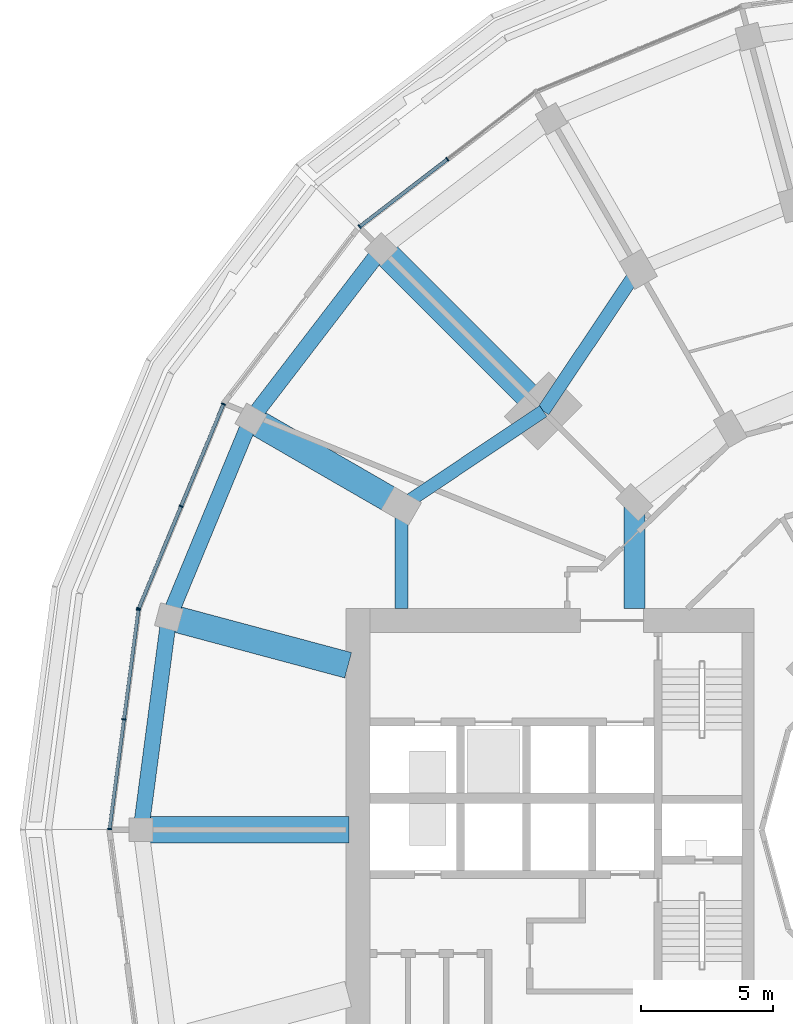
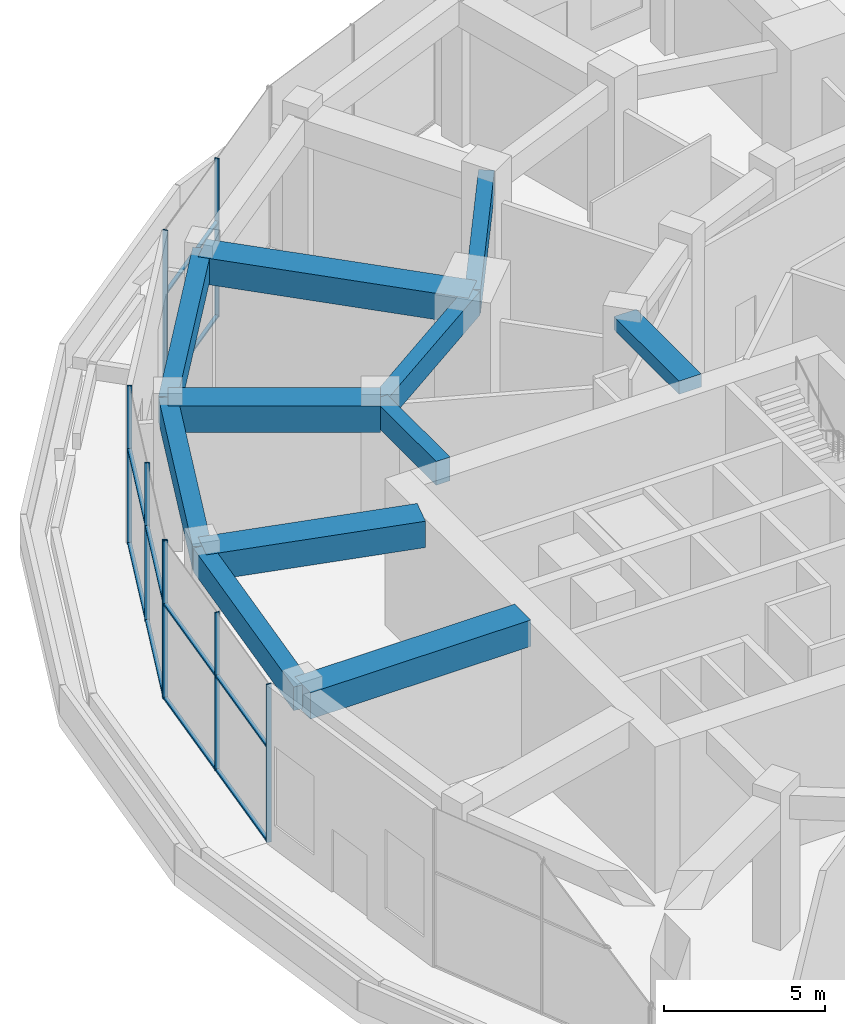
# One storey, part 7 of 23: 18 members, 11 beams, 3 elements without a shape of their own.
"""IFC4 building model written with IfcOpenShell, lengths in metres."""

import ifcopenshell
import ifcopenshell.guid

model = None  # the IFC model being written
_history = None  # IfcOwnerHistory: only IFC2X3 demands one
_inside = {}  # id of a spatial element -> (the spatial element, [elements in it])
_under = {}  # id of a project, library or spatial element -> (it, [spatial elements below it])
_declared = {}  # id of a project -> (the project, [libraries it declares])
_typed = {}  # id of a type object -> (the type object, [elements of that type])
_made_of = {}  # id of a material, layer set ... -> (it, [elements and type objects made of it])


def new_model(schema):
    """Start an empty IFC model of exactly this schema.

    Asked for "IFC4X3", IfcOpenShell would pick the latest addendum, in which some entities
    have other attributes; the version numbers below select the first issue.
    IFC2X3 requires an IfcOwnerHistory on every rooted entity: one is made here for all.
    """
    global model, _history
    if schema == "IFC4X3":
        model = ifcopenshell.file(schema_version=(4, 3, 0, 0))
    else:
        model = ifcopenshell.file(schema=schema)
    _inside.clear()
    _under.clear()
    _declared.clear()
    _typed.clear()
    _made_of.clear()
    _history = None
    if model.schema == "IFC2X3":
        org = make("IfcOrganization", Name="unknown")
        user = make(
            "IfcPersonAndOrganization",
            ThePerson=make("IfcPerson", FamilyName="unknown"),
            TheOrganization=org,
        )
        app = make(
            "IfcApplication",
            ApplicationDeveloper=org,
            Version="unknown",
            ApplicationFullName="unknown",
            ApplicationIdentifier="unknown",
        )
        _history = make(
            "IfcOwnerHistory",
            OwningUser=user,
            OwningApplication=app,
            ChangeAction="ADDED",
            CreationDate=0,
        )
    return model


def make(cls, **values):
    """One entity of the class cls with the attributes given. An attribute that is None is left unset."""
    return model.create_entity(
        cls, **{name: value for name, value in values.items() if value is not None}
    )


def rooted(cls, **values):
    """An entity with a GlobalId (a new one), such as an element, a storey or a relation."""
    return make(cls, GlobalId=ifcopenshell.guid.new(), OwnerHistory=_history, **values)


def si_unit(unit_type, name, prefix=None):
    """IfcSIUnit, for example si_unit("LENGTHUNIT", "METRE", prefix="MILLI")."""
    return make("IfcSIUnit", UnitType=unit_type, Prefix=prefix, Name=name)


def assignment(units):
    """IfcUnitAssignment: the units of a project."""
    return None if units is None else make("IfcUnitAssignment", Units=units)


def point(xyz):
    """IfcCartesianPoint."""
    return None if xyz is None else make("IfcCartesianPoint", Coordinates=xyz)


def direction(xyz):
    """IfcDirection."""
    return None if xyz is None else make("IfcDirection", DirectionRatios=xyz)


def frame(location, z_axis=None, x_axis=None):
    """IfcAxis2Placement3D, a coordinate frame: its origin and axes. An axis left out is left unset."""
    return make(
        "IfcAxis2Placement3D",
        Location=point(location),
        Axis=direction(z_axis),
        RefDirection=direction(x_axis),
    )


def frame_2d(location, x_axis=None):
    """IfcAxis2Placement2D, a coordinate frame in the plane: its origin and x axis."""
    return make(
        "IfcAxis2Placement2D", Location=point(location), RefDirection=direction(x_axis)
    )


def origin():
    """The frame at (0, 0, 0) with its axes left unset."""
    return frame((0.0, 0.0, 0.0))


def origin_2d():
    """The frame at (0, 0) in the plane with its x axis left unset."""
    return frame_2d((0.0, 0.0))


def place(relative_to, where):
    """IfcLocalPlacement: puts the frame where relative to a parent placement (None: the world)."""
    return make(
        "IfcLocalPlacement", PlacementRelTo=relative_to, RelativePlacement=where
    )


def context(
    kind, dimensions, precision=None, world=None, true_north=None, identifier=None
):
    """IfcGeometricRepresentationContext, for example the 3D "Model" context."""
    return make(
        "IfcGeometricRepresentationContext",
        ContextIdentifier=identifier,
        ContextType=kind,
        CoordinateSpaceDimension=dimensions,
        Precision=precision,
        WorldCoordinateSystem=world,
        TrueNorth=true_north,
    )


def subcontext(parent, identifier, kind, view, scale=None):
    """IfcGeometricRepresentationSubContext, for example "Body" below "Model"."""
    return make(
        "IfcGeometricRepresentationSubContext",
        ContextIdentifier=identifier,
        ContextType=kind,
        ParentContext=parent,
        TargetScale=scale,
        TargetView=view,
    )


def project(units=None, contexts=None):
    """IfcProject with its units and contexts."""
    return rooted(
        "IfcProject",
        Name="project",
        RepresentationContexts=contexts,
        UnitsInContext=assignment(units),
    )


def spatial(cls, under=None, at=None, **own):
    """A site, building, storey or space (cls), placed at a placement, below another one or the project."""
    s = rooted(cls, ObjectPlacement=at, **own)
    if under is not None:
        _under.setdefault(under.id(), (under, []))[1].append(s)
    return s


def profile(cls, at=None, kind="AREA", **sizes):
    """A parametric profile (cls). Its sizes go by their IFC names, for example OverallWidth=200.0."""
    return make(cls, ProfileType=kind, Position=at, **sizes)


def rectangle(**sizes):
    """IfcRectangleProfileDef."""
    return profile("IfcRectangleProfileDef", **sizes)


def extrude(swept, where, along, depth):
    """IfcExtrudedAreaSolid: the profile swept, set in the frame where, extruded along a direction by depth."""
    return make(
        "IfcExtrudedAreaSolid",
        SweptArea=swept,
        Position=where,
        ExtrudedDirection=direction(along),
        Depth=depth,
    )


def shape(context_of_items, identifier, shape_type, items):
    """IfcShapeRepresentation: the items that make up one representation, for example the "Body"."""
    return make(
        "IfcShapeRepresentation",
        ContextOfItems=context_of_items,
        RepresentationIdentifier=identifier,
        RepresentationType=shape_type,
        Items=items,
    )


def material(Name=None, Category=None):
    """IfcMaterial."""
    return make("IfcMaterial", Name=Name, Category=Category)


def layer(
    of_material, thickness, ventilated=None, Name=None, Category=None, Priority=None
):
    """IfcMaterialLayer: one layer of a wall or slab, of a material (None: an air gap)."""
    return make(
        "IfcMaterialLayer",
        Material=of_material,
        LayerThickness=thickness,
        IsVentilated=ventilated,
        Name=Name,
        Category=Category,
        Priority=Priority,
    )


def layer_set(layers, Name=None):
    """IfcMaterialLayerSet."""
    return make("IfcMaterialLayerSet", MaterialLayers=layers, LayerSetName=Name)


def material_profile(
    of_material, cross_section, Name=None, Category=None, Priority=None
):
    """IfcMaterialProfile: a cross section and its material."""
    return make(
        "IfcMaterialProfile",
        Name=Name,
        Material=of_material,
        Profile=cross_section,
        Priority=Priority,
        Category=Category,
    )


def profile_set(profiles, Name=None, composite=None):
    """IfcMaterialProfileSet."""
    return make(
        "IfcMaterialProfileSet",
        Name=Name,
        MaterialProfiles=profiles,
        CompositeProfile=composite,
    )


def made_of(thing, what):
    """Note that an element or type object is made of a material, layer set ...; save() writes the relation."""
    if what is not None:
        _made_of.setdefault(what.id(), (what, []))[1].append(thing)
    return thing


def type_object(cls, material=None, **own):
    """A type object (cls), such as IfcWallType, which elements share."""
    return made_of(rooted(cls, **own), material)


def element(
    cls,
    number,
    at=None,
    inside=None,
    cuts=None,
    type_object=None,
    material=None,
    context=None,
    identifier="Body",
    shape_type=None,
    held_by="IfcProductDefinitionShape",
    body=None,
    shapes=None,
    **own,
):
    """One element of the class cls, such as IfcWall. Its Tag is "e" and its number.

    at: its placement. inside: the storey or other place that contains it. cuts: it is an
    opening in that element (IfcRelVoidsElement). A single representation is given by context,
    identifier, shape_type and body (its items); several are given by shapes. held_by: the class
    of the entity that holds the representations. save() writes the other relations.
    """
    e = rooted(cls, Tag="e%d" % number, ObjectPlacement=at, **own)
    if body is not None:
        shapes = [shape(context, identifier, shape_type, body)]
    if shapes is not None:
        e.Representation = make(held_by, Representations=shapes)
    if inside is not None:
        _inside.setdefault(inside.id(), (inside, []))[1].append(e)
    if cuts is not None:
        rooted(
            "IfcRelVoidsElement", RelatingBuildingElement=cuts, RelatedOpeningElement=e
        )
    if type_object is not None:
        _typed.setdefault(type_object.id(), (type_object, []))[1].append(e)
    return made_of(e, material)


def aggregate(whole, parts):
    """IfcRelAggregates: a whole, such as a stair, and the parts it consists of."""
    return rooted("IfcRelAggregates", RelatingObject=whole, RelatedObjects=parts)


def save(model, path):
    """Write the relations noted so far, then the file.

    IfcRelAggregates (storeys below a building ...), IfcRelContainedInSpatialStructure (elements
    in a storey), IfcRelDefinesByType, IfcRelAssociatesMaterial and IfcRelDeclares: one each for
    every whole, place, type object, material and project.
    """
    for whole, parts in _under.values():
        aggregate(whole, parts)
    for where, things in _inside.values():
        rooted(
            "IfcRelContainedInSpatialStructure",
            RelatedElements=things,
            RelatingStructure=where,
        )
    for kind, things in _typed.values():
        rooted("IfcRelDefinesByType", RelatedObjects=things, RelatingType=kind)
    for what, things in _made_of.values():
        rooted("IfcRelAssociatesMaterial", RelatedObjects=things, RelatingMaterial=what)
    for by, libraries in _declared.values():
        rooted("IfcRelDeclares", RelatingContext=by, RelatedDefinitions=libraries)
    model.write(path)


model = new_model("IFC4")

# Units and contexts
model_context = context("Model", 3, precision=1e-05, world=origin(), true_north=direction((0.0, 1.0)))
body_context = subcontext(model_context, "Body", "Model", "MODEL_VIEW")
ifc_project = project(units=[si_unit("LENGTHUNIT", "METRE"), si_unit("AREAUNIT", "SQUARE_METRE"), si_unit("VOLUMEUNIT", "CUBIC_METRE"), si_unit("PLANEANGLEUNIT", "RADIAN"), si_unit("MASSUNIT", "GRAM", prefix="KILO")], contexts=[model_context])

# Site, building, storey
site_placement = place(None, origin())
site = spatial("IfcSite", under=ifc_project, at=site_placement, CompositionType="ELEMENT")
building_placement = place(site_placement, origin())
building = spatial("IfcBuilding", under=site, at=building_placement, Name="Torre Brocal", CompositionType="ELEMENT")
storey_placement = place(building_placement, frame((0.0, 0.0, 17.800048828125)))
storey = spatial("IfcBuildingStorey", under=building, at=storey_placement, Name="L03", CompositionType="ELEMENT", Elevation=17.800048828125)

# Curtain wall, members
ifc_material_1 = material(Name="Aluminium and glass", Category="aluminium")
ifc_layer = layer(ifc_material_1, 0.199951171875)
ifc_layer_set = layer_set([ifc_layer], Name="Aluminium and glass")
curtain_wall_type = type_object("IfcCurtainWallType", Name="CW-6 CURTAIN WALL 6000 HIGH", PredefinedType="NOTDEFINED", material=ifc_layer_set)
curtain_wall_1_placement = place(storey_placement, origin())
curtain_wall_1 = element("IfcCurtainWall", 1, at=curtain_wall_1_placement, inside=storey, type_object=curtain_wall_type, Name="CW-6 RUN 9", PredefinedType="NOTDEFINED")
ifc_material_2 = material(Name="Aluminium, dark anodised", Category="aluminium")
ifc_material_profile_1 = material_profile(ifc_material_2, rectangle(XDim=0.159912109375, YDim=0.050048828125, at=origin_2d()), Name="CW-6 MULLION 50X160")
ifc_profile_set_1 = profile_set([ifc_material_profile_1], Name="Aluminium, dark anodised")
member_type_1 = type_object("IfcMemberType", Name="CW-6 MULLION 50X160", PredefinedType="MULLION", material=ifc_profile_set_1)
member_1_placement = place(storey_placement, frame((60.4453125, 100.484130859375, 0.0), z_axis=(0.0, 0.0, 1.0), x_axis=(0.608761429009, -0.793353340291, 0.0)))
member_1 = element("IfcMember", 2, at=member_1_placement, type_object=member_type_1, Name="CW6-2 mullion 2", PredefinedType="MULLION", context=body_context, shape_type="SweptSolid", body=[
    extrude(rectangle(XDim=0.159912109375, YDim=0.050048828125, at=origin_2d()), origin(), (0.0, 0.0, 1.0), 6.0),
])
member_2_placement = place(storey_placement, frame((57.110107421875, 97.9248046875, 0.0), z_axis=(0.0, 0.0, 1.0), x_axis=(0.608761429009, -0.793353340291, 0.0)))
member_2 = element("IfcMember", 3, at=member_2_placement, type_object=member_type_1, Name="CW6-2 mullion 3", PredefinedType="MULLION", context=body_context, shape_type="SweptSolid", body=[
    extrude(rectangle(XDim=0.159912109375, YDim=0.050048828125, at=origin_2d()), origin(), (0.0, 0.0, 1.0), 6.0),
])

curtain_wall_2_placement = place(storey_placement, origin())
curtain_wall_2 = element("IfcCurtainWall", 4, at=curtain_wall_2_placement, inside=storey, type_object=curtain_wall_type, Name="CW-6 RUN 11", PredefinedType="NOTDEFINED")
member_3_placement = place(storey_placement, frame((51.931884765625, 91.176513671875, 0.0), z_axis=(0.0, 0.0, 1.0), x_axis=(0.923879532538, -0.382683432301, 0.0)))
member_3 = element("IfcMember", 5, at=member_3_placement, type_object=member_type_1, Name="CW6-2 mullion 1", PredefinedType="MULLION", context=body_context, shape_type="SweptSolid", body=[
    extrude(rectangle(XDim=0.159912109375, YDim=0.050048828125, at=origin_2d()), origin(), (0.0, 0.0, 1.0), 6.0),
])
member_4_placement = place(storey_placement, frame((50.3232421875, 87.29248046875, 0.0), z_axis=(0.0, 0.0, 1.0), x_axis=(0.923879532538, -0.382683432301, 0.0)))
member_4 = element("IfcMember", 6, at=member_4_placement, type_object=member_type_1, Name="CW6-2 mullion 2", PredefinedType="MULLION", context=body_context, shape_type="SweptSolid", body=[
    extrude(rectangle(XDim=0.159912109375, YDim=0.050048828125, at=origin_2d()), origin(), (0.0, 0.0, 1.0), 6.0),
])
member_5_placement = place(storey_placement, frame((48.71435546875, 83.40869140625, 0.0), z_axis=(0.0, 0.0, 1.0), x_axis=(0.923879532538, -0.382683432301, 0.0)))
member_5 = element("IfcMember", 7, at=member_5_placement, type_object=member_type_1, Name="CW6-2 mullion 3", PredefinedType="MULLION", context=body_context, shape_type="SweptSolid", body=[
    extrude(rectangle(XDim=0.159912109375, YDim=0.050048828125, at=origin_2d()), origin(), (0.0, 0.0, 1.0), 6.0),
])

curtain_wall_3_placement = place(storey_placement, origin())
curtain_wall_3 = element("IfcCurtainWall", 8, at=curtain_wall_3_placement, inside=storey, type_object=curtain_wall_type, Name="CW-6 RUN 12", PredefinedType="NOTDEFINED")
member_6_placement = place(storey_placement, frame((48.70166015625, 83.36083984375, 0.0), z_axis=(0.0, 0.0, 1.0), x_axis=(0.991444861369, -0.130526192255, 0.0)))
member_6 = element("IfcMember", 9, at=member_6_placement, type_object=member_type_1, Name="CW6-2 mullion 1", PredefinedType="MULLION", context=body_context, shape_type="SweptSolid", body=[
    extrude(rectangle(XDim=0.159912109375, YDim=0.050048828125, at=origin_2d()), origin(), (0.0, 0.0, 1.0), 6.0),
])
member_7_placement = place(storey_placement, frame((48.15283203125, 79.19287109375, 0.0), z_axis=(0.0, 0.0, 1.0), x_axis=(0.991444861369, -0.130526192255, 0.0)))
member_7 = element("IfcMember", 10, at=member_7_placement, type_object=member_type_1, Name="CW6-2 mullion 2", PredefinedType="MULLION", context=body_context, shape_type="SweptSolid", body=[
    extrude(rectangle(XDim=0.159912109375, YDim=0.050048828125, at=origin_2d()), origin(), (0.0, 0.0, 1.0), 6.0),
])
member_8_placement = place(storey_placement, frame((47.604248046875, 75.02490234375, 0.0), z_axis=(0.0, 0.0, 1.0), x_axis=(0.991444861369, -0.130526192255, 0.0)))
member_8 = element("IfcMember", 11, at=member_8_placement, type_object=member_type_1, Name="CW6-2 mullion 3", PredefinedType="MULLION", context=body_context, shape_type="SweptSolid", body=[
    extrude(rectangle(XDim=0.159912109375, YDim=0.050048828125, at=origin_2d()), origin(), (0.0, 0.0, 1.0), 6.0),
])

# Member
ifc_material_3 = material(Name="Aluminium, dark anodised", Category="aluminium")
ifc_material_profile_2 = material_profile(ifc_material_3, rectangle(XDim=0.1298828125, YDim=0.070068359375, at=origin_2d()), Name="CW-6 TRANSOM 130X70")
ifc_profile_set_2 = profile_set([ifc_material_profile_2], Name="Aluminium, dark anodised")
member_type_2 = type_object("IfcMemberType", Name="CW-6 TRANSOM 130X70", PredefinedType="USERDEFINED", material=ifc_profile_set_2)
member_9_placement = place(storey_placement, frame((60.425537109375, 100.46875, 0.034912109375), z_axis=(-0.793364118185, -0.608747382727, 0.0), x_axis=(0.608747382727, -0.793364118185, 0.0)))
member_9 = element("IfcMember", 12, at=member_9_placement, type_object=member_type_2, Name="CW6-2 transom 2.1", ObjectType="TRANSOM", PredefinedType="USERDEFINED", context=body_context, shape_type="SweptSolid", body=[
    extrude(rectangle(XDim=0.1298828125, YDim=0.070068359375, at=origin_2d()), origin(), (0.0, 0.0, 1.0), 4.15380859375),
])

member_10_placement = place(storey_placement, frame((60.425537109375, 100.46875, 3.599853515625), z_axis=(-0.793364118185, -0.608747382727, 0.0), x_axis=(0.608747382727, -0.793364118185, 0.0)))
member_10 = element("IfcMember", 13, at=member_10_placement, type_object=member_type_2, Name="CW6-2 transom 2.2", ObjectType="TRANSOM", PredefinedType="USERDEFINED", context=body_context, shape_type="SweptSolid", body=[
    extrude(rectangle(XDim=0.1298828125, YDim=0.070068359375, at=origin_2d()), origin(), (0.0, 0.0, 1.0), 4.15380859375),
])

aggregate(curtain_wall_1, [member_1, member_2, member_9, member_10])

member_11_placement = place(storey_placement, frame((51.92236328125, 91.1533203125, 0.034912109375), z_axis=(-0.38268227917, -0.923880010179, 0.0), x_axis=(0.923880010179, -0.38268227917, 0.0)))
member_11 = element("IfcMember", 14, at=member_11_placement, type_object=member_type_2, Name="CW6-2 transom 1.1", ObjectType="TRANSOM", PredefinedType="USERDEFINED", context=body_context, shape_type="SweptSolid", body=[
    extrude(rectangle(XDim=0.1298828125, YDim=0.070068359375, at=origin_2d()), origin(), (0.0, 0.0, 1.0), 4.15380859375),
])

member_12_placement = place(storey_placement, frame((51.92236328125, 91.1533203125, 3.599853515625), z_axis=(-0.38268227917, -0.923880010179, 0.0), x_axis=(0.923880010179, -0.38268227917, 0.0)))
member_12 = element("IfcMember", 15, at=member_12_placement, type_object=member_type_2, Name="CW6-2 transom 1.2", ObjectType="TRANSOM", PredefinedType="USERDEFINED", context=body_context, shape_type="SweptSolid", body=[
    extrude(rectangle(XDim=0.1298828125, YDim=0.070068359375, at=origin_2d()), origin(), (0.0, 0.0, 1.0), 4.15380859375),
])

member_13_placement = place(storey_placement, frame((50.313720703125, 87.26953125, 0.034912109375), z_axis=(-0.38271166419, -0.923867838001, 0.0), x_axis=(0.923867838001, -0.38271166419, 0.0)))
member_13 = element("IfcMember", 16, at=member_13_placement, type_object=member_type_2, Name="CW6-2 transom 2.1", ObjectType="TRANSOM", PredefinedType="USERDEFINED", context=body_context, shape_type="SweptSolid", body=[
    extrude(rectangle(XDim=0.1298828125, YDim=0.070068359375, at=origin_2d()), origin(), (0.0, 0.0, 1.0), 4.154052734375),
])

member_14_placement = place(storey_placement, frame((50.313720703125, 87.26953125, 3.599853515625), z_axis=(-0.38271166419, -0.923867838001, 0.0), x_axis=(0.923867838001, -0.38271166419, 0.0)))
member_14 = element("IfcMember", 17, at=member_14_placement, type_object=member_type_2, Name="CW6-2 transom 2.2", ObjectType="TRANSOM", PredefinedType="USERDEFINED", context=body_context, shape_type="SweptSolid", body=[
    extrude(rectangle(XDim=0.1298828125, YDim=0.070068359375, at=origin_2d()), origin(), (0.0, 0.0, 1.0), 4.154052734375),
])

aggregate(curtain_wall_2, [member_3, member_4, member_5, member_11, member_12, member_13, member_14])

member_15_placement = place(storey_placement, frame((48.6982421875, 83.3359375, 0.034912109375), z_axis=(-0.130535090122, -0.991443689902, 0.0), x_axis=(0.991443689902, -0.130535090122, 0.0)))
member_15 = element("IfcMember", 18, at=member_15_placement, type_object=member_type_2, Name="CW6-2 transom 1.1", ObjectType="TRANSOM", PredefinedType="USERDEFINED", context=body_context, shape_type="SweptSolid", body=[
    extrude(rectangle(XDim=0.1298828125, YDim=0.070068359375, at=origin_2d()), origin(), (0.0, 0.0, 1.0), 4.154052734375),
])

member_16_placement = place(storey_placement, frame((48.6982421875, 83.3359375, 3.599853515625), z_axis=(-0.130535090122, -0.991443689902, 0.0), x_axis=(0.991443689902, -0.130535090122, 0.0)))
member_16 = element("IfcMember", 19, at=member_16_placement, type_object=member_type_2, Name="CW6-2 transom 1.2", ObjectType="TRANSOM", PredefinedType="USERDEFINED", context=body_context, shape_type="SweptSolid", body=[
    extrude(rectangle(XDim=0.1298828125, YDim=0.070068359375, at=origin_2d()), origin(), (0.0, 0.0, 1.0), 4.154052734375),
])

member_17_placement = place(storey_placement, frame((48.149658203125, 79.16796875, 0.034912109375), z_axis=(-0.130535090122, -0.991443689902, 0.0), x_axis=(0.991443689902, -0.130535090122, 0.0)))
member_17 = element("IfcMember", 20, at=member_17_placement, type_object=member_type_2, Name="CW6-2 transom 2.1", ObjectType="TRANSOM", PredefinedType="USERDEFINED", context=body_context, shape_type="SweptSolid", body=[
    extrude(rectangle(XDim=0.1298828125, YDim=0.070068359375, at=origin_2d()), origin(), (0.0, 0.0, 1.0), 4.154052734375),
])

member_18_placement = place(storey_placement, frame((48.149658203125, 79.16796875, 3.599853515625), z_axis=(-0.130535090122, -0.991443689902, 0.0), x_axis=(0.991443689902, -0.130535090122, 0.0)))
member_18 = element("IfcMember", 21, at=member_18_placement, type_object=member_type_2, Name="CW6-2 transom 2.2", ObjectType="TRANSOM", PredefinedType="USERDEFINED", context=body_context, shape_type="SweptSolid", body=[
    extrude(rectangle(XDim=0.1298828125, YDim=0.070068359375, at=origin_2d()), origin(), (0.0, 0.0, 1.0), 4.154052734375),
])

aggregate(curtain_wall_3, [member_6, member_7, member_8, member_15, member_16, member_17, member_18])

# Beams
ifc_material_4 = material(Name="Concrete C50", Category="concrete")
ifc_material_profile_3 = material_profile(ifc_material_4, rectangle(XDim=0.60009765625, YDim=0.89990234375, at=origin_2d()), Name="RC 600X900")
ifc_profile_set_3 = profile_set([ifc_material_profile_3], Name="Concrete C50")
beam_type_1 = type_object("IfcBeamType", Name="RC BEAM 600X900 C50 TOP 5550", PredefinedType="BEAM", material=ifc_profile_set_3)
beam_1_placement = place(storey_placement, frame((57.938232421875, 97.061767578125, 5.099853515625), z_axis=(-0.608764383689, -0.793351073076, 0.0), x_axis=(0.793351073076, -0.608764383689, 0.0)))
element("IfcBeam", 22, at=beam_1_placement, inside=storey, type_object=beam_type_1, Name="Beam BT-13", PredefinedType="BEAM", context=body_context, shape_type="SweptSolid", body=[
    extrude(rectangle(XDim=0.60009765625, YDim=0.89990234375, at=origin_2d()), origin(), (0.0, 0.0, 1.0), 8.144775390625),
])
beam_2_placement = place(storey_placement, frame((52.97998046875, 90.60009765625, 5.099853515625), z_axis=(-0.382686235977, -0.923878371212, 0.0), x_axis=(0.923878371212, -0.382686235977, 0.0)))
element("IfcBeam", 23, at=beam_2_placement, inside=storey, type_object=beam_type_1, Name="Beam BT-13", PredefinedType="BEAM", context=body_context, shape_type="SweptSolid", body=[
    extrude(rectangle(XDim=0.60009765625, YDim=0.89990234375, at=origin_2d()), origin(), (0.0, 0.0, 1.0), 8.14501953125),
])
beam_3_placement = place(storey_placement, frame((49.863037109375, 83.0751953125, 5.099853515625), z_axis=(-0.130510340201, -0.991446948203, 0.0), x_axis=(0.991446948203, -0.130510340201, 0.0)))
element("IfcBeam", 24, at=beam_3_placement, inside=storey, type_object=beam_type_1, Name="Beam BT-13", PredefinedType="BEAM", context=body_context, shape_type="SweptSolid", body=[
    extrude(rectangle(XDim=0.60009765625, YDim=0.89990234375, at=origin_2d()), origin(), (0.0, 0.0, 1.0), 8.144775390625),
])
ifc_material_5 = material(Name="Concrete C50", Category="concrete")
ifc_material_profile_4 = material_profile(ifc_material_5, rectangle(XDim=0.800048828125, YDim=0.5, at=origin_2d()), Name="RC 800X500")
ifc_profile_set_4 = profile_set([ifc_material_profile_4], Name="Concrete C50")
beam_type_2 = type_object("IfcBeamType", Name="RC BEAM 800X500 C50 TOP 5550", PredefinedType="BEAM", material=ifc_profile_set_4)
beam_4_placement = place(storey_placement, frame((67.554931640625, 87.445068359375, 5.300048828125), z_axis=(0.0, -1.0, 0.0), x_axis=(1.0, 0.0, 0.0)))
element("IfcBeam", 25, at=beam_4_placement, inside=storey, type_object=beam_type_2, Name="Beam BT-14", PredefinedType="BEAM", context=body_context, shape_type="SweptSolid", body=[
    extrude(rectangle(XDim=0.800048828125, YDim=0.5, at=origin_2d()), origin(), (0.0, 0.0, 1.0), 4.045166015625),
])
ifc_material_6 = material(Name="Concrete C50", Category="concrete")
ifc_material_profile_5 = material_profile(ifc_material_6, rectangle(XDim=0.5, YDim=0.89990234375, at=origin_2d()), Name="RC 500X900")
ifc_profile_set_5 = profile_set([ifc_material_profile_5], Name="Concrete C50")
beam_type_3 = type_object("IfcBeamType", Name="RC SPANDREL BEAM 500X900 C50 TOP 5550", PredefinedType="SPANDREL", material=ifc_profile_set_5)
for number, where, z_axis, x_axis, name in (
    (26, (67.699951171875, 96.30419921875, 5.099853515625), (-0.556157602282, -0.831076844476, 0.0), (0.831076844476, -0.556157602282, 0.0), "Beam BT-15"),
    (27, (64.090087890625, 90.909912109375, 5.099853515625), (-0.831076844476, -0.556157602282, 0.0), (0.556157602282, -0.831076844476, 0.0), "Beam BT-15"),
):
    element("IfcBeam", number, at=place(storey_placement, frame(where, z_axis=z_axis, x_axis=x_axis)), inside=storey, type_object=beam_type_3, Name=name, PredefinedType="SPANDREL", context=body_context, shape_type="SweptSolid", body=[
        extrude(rectangle(XDim=0.5, YDim=0.89990234375, at=origin_2d()), origin(), (0.0, 0.0, 1.0), 6.49072265625),
    ])
beam_5_placement = place(storey_placement, frame((58.69580078125, 87.300048828125, 5.099853515625), z_axis=(0.0, -1.0, 0.0), x_axis=(1.0, 0.0, 0.0)))
element("IfcBeam", 28, at=beam_5_placement, inside=storey, type_object=beam_type_3, Name="Beam BT-15", PredefinedType="SPANDREL", context=body_context, shape_type="SweptSolid", body=[
    extrude(rectangle(XDim=0.5, YDim=0.89990234375, at=origin_2d()), origin(), (0.0, 0.0, 1.0), 3.900146484375),
])
ifc_material_7 = material(Name="Concrete C60", Category="concrete")
ifc_material_profile_6 = material_profile(ifc_material_7, rectangle(XDim=1.0, YDim=1.0, at=origin_2d()), Name="RC 1000X1000")
ifc_profile_set_6 = profile_set([ifc_material_profile_6], Name="Concrete C60")
beam_type_4 = type_object("IfcBeamType", Name="RC TRANSFER GIRDER 1000X1000 C60 TOP 5550", PredefinedType="BEAM", material=ifc_profile_set_6)
beam_6_placement = place(storey_placement, frame((56.6728515625, 81.25048828125, 5.050048828125), z_axis=(-0.965925019625, 0.258822055594, 0.0), x_axis=(-0.258822055594, -0.965925019625, 0.0)))
element("IfcBeam", 29, at=beam_6_placement, inside=storey, type_object=beam_type_4, Name="Beam TG-04", PredefinedType="BEAM", context=body_context, shape_type="SweptSolid", body=[
    extrude(rectangle(XDim=1.0, YDim=1.0, at=origin_2d()), origin(), (0.0, 0.0, 1.0), 7.050048828125),
])
beam_7_placement = place(storey_placement, frame((56.699951171875, 75.0, 5.050048828125), z_axis=(-1.0, 0.0, 0.0), x_axis=(0.0, -1.0, 0.0)))
element("IfcBeam", 30, at=beam_7_placement, inside=storey, type_object=beam_type_4, Name="Beam TG-04", PredefinedType="BEAM", context=body_context, shape_type="SweptSolid", body=[
    extrude(rectangle(XDim=1.0, YDim=1.0, at=origin_2d()), origin(), (0.0, 0.0, 1.0), 7.89990234375),
])
beam_8_placement = place(storey_placement, frame((58.69580078125, 87.300048828125, 5.050048828125), z_axis=(-0.866024194504, 0.500002094529, 0.0), x_axis=(-0.500002094529, -0.866024194504, 0.0)))
element("IfcBeam", 31, at=beam_8_placement, inside=storey, type_object=beam_type_4, Name="Beam TG-04", PredefinedType="BEAM", context=body_context, shape_type="SweptSolid", body=[
    extrude(rectangle(XDim=1.0, YDim=1.0, at=origin_2d()), origin(), (0.0, 0.0, 1.0), 6.60009765625),
])
beam_9_placement = place(storey_placement, frame((64.090087890625, 90.909912109375, 5.050048828125), z_axis=(-0.707106781187, 0.707106781187, 0.0), x_axis=(-0.707106781187, -0.707106781187, 0.0)))
element("IfcBeam", 32, at=beam_9_placement, inside=storey, type_object=beam_type_4, Name="Beam TG-04", PredefinedType="BEAM", context=body_context, shape_type="SweptSolid", body=[
    extrude(rectangle(XDim=1.0, YDim=1.0, at=origin_2d()), origin(), (0.0, 0.0, 1.0), 8.699951171875),
])

save(model, "model.ifc")
